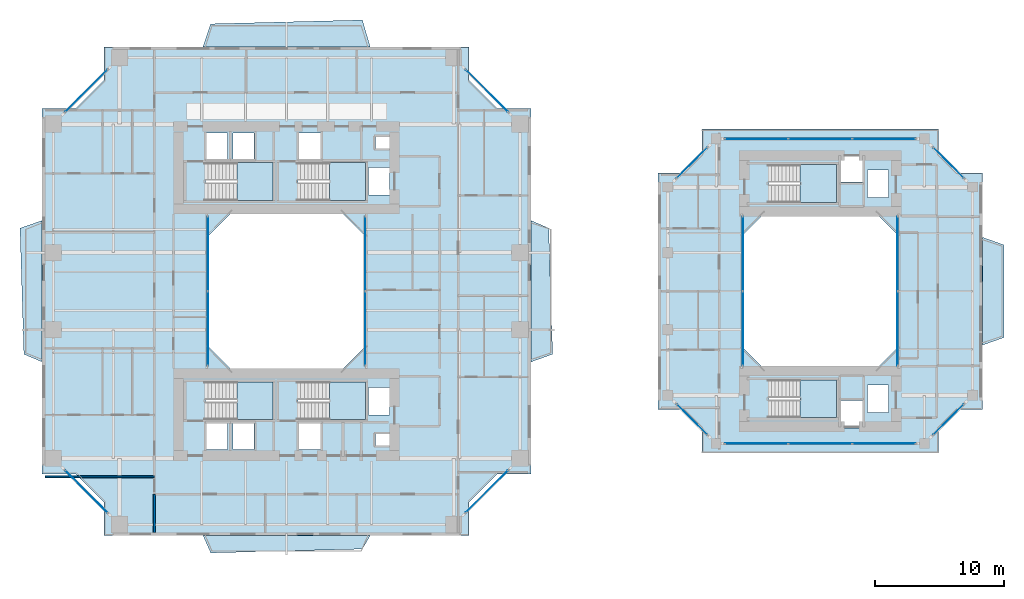
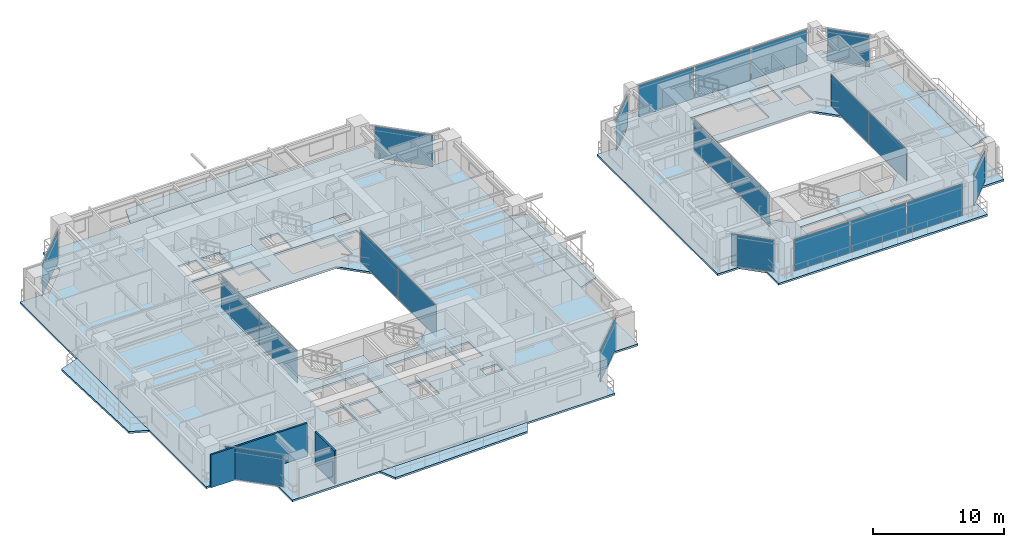
# One storey, part 12 of 23: 22 plates, 13 slabs, 2 walls, 20 elements without a shape of their own.
"""IFC4 building model written with IfcOpenShell, lengths in metres."""

from ifc_helpers import new_model, si_unit, direction, frame, frame_2d, origin, origin_2d, place, context, subcontext, project, spatial, polyline, rectangle, outline, extrude, source, transform, mapped, material, layer, layer_set, type_object, element, aggregate, save


model = new_model("IFC4")

# Units and contexts
model_context = context("Model", 3, precision=1e-05, world=origin(), true_north=direction((0.0, 1.0)))
body_context = subcontext(model_context, "Body", "Model", "MODEL_VIEW")
ifc_project = project(units=[si_unit("LENGTHUNIT", "METRE"), si_unit("AREAUNIT", "SQUARE_METRE"), si_unit("VOLUMEUNIT", "CUBIC_METRE"), si_unit("PLANEANGLEUNIT", "RADIAN"), si_unit("MASSUNIT", "GRAM", prefix="KILO"), si_unit("THERMODYNAMICTEMPERATUREUNIT", "KELVIN"), si_unit("POWERUNIT", "WATT")], contexts=[model_context])

# Site, building, storey
site_placement = place(None, origin())
site = spatial("IfcSite", under=ifc_project, at=site_placement, CompositionType="ELEMENT")
building_placement = place(site_placement, origin())
building = spatial("IfcBuilding", under=site, at=building_placement, Name="Qiaomeng Ring Towers", CompositionType="ELEMENT")
storey_placement = place(building_placement, frame((0.0, 0.0, 86.0)))
storey = spatial("IfcBuildingStorey", under=building, at=storey_placement, Name="L24", CompositionType="ELEMENT", Elevation=86.0)

# Slabs
ifc_material_1 = material(Name="Concrete C40", Category="concrete")
ifc_layer_1 = layer(ifc_material_1, 0.179931640625, Name="Concrete C40")
ifc_layer_set_1 = layer_set([ifc_layer_1], Name="Concrete C40")
slab_type_1 = type_object("IfcSlabType", Name="STR-SL-180", PredefinedType="FLOOR", material=ifc_layer_set_1)
slab_1_placement = place(storey_placement, frame((0.0, 0.0, -0.179931640625)))
element("IfcSlab", 1, at=slab_1_placement, inside=storey, type_object=slab_type_1, Name="L24 Tower 1 Annular Floor Slab", PredefinedType="FLOOR", context=body_context, shape_type="SweptSolid", body=[
    extrude(outline(polyline([(4.800048828125, 4.0), (33.199951171875, 4.0), (33.199951171875, 6.60009765625), (35.39990234375, 8.800048828125), (38.0, 8.800048828125), (38.0, 37.199951171875), (35.39990234375, 37.199951171875), (33.199951171875, 39.39990234375), (33.199951171875, 42.0), (4.800048828125, 42.0), (4.800048828125, 39.39990234375), (2.60009765625, 37.199951171875), (0.0, 37.199951171875), (0.0, 8.800048828125), (2.60009765625, 8.800048828125), (4.800048828125, 6.60009765625), (4.800048828125, 4.0)]), holes=[polyline([(12.780029296875, 10.679931640625), (12.780029296875, 12.820068359375), (14.419921875, 12.820068359375), (14.419921875, 10.679931640625), (12.780029296875, 10.679931640625)]), polyline([(14.830078125, 12.820068359375), (16.469970703125, 12.820068359375), (16.469970703125, 10.679931640625), (14.830078125, 10.679931640625), (14.830078125, 12.820068359375)]), polyline([(12.679931640625, 15.949951171875), (17.949951171875, 15.949951171875), (17.949951171875, 13.010009765625), (12.679931640625, 13.010009765625), (12.679931640625, 15.949951171875)]), polyline([(25.199951171875, 27.199951171875), (25.199951171875, 18.800048828125), (23.199951171875, 16.800048828125), (14.800048828125, 16.800048828125), (12.800048828125, 18.800048828125), (12.800048828125, 27.199951171875), (14.800048828125, 29.199951171875), (23.199951171875, 29.199951171875), (25.199951171875, 27.199951171875)]), polyline([(12.679931640625, 32.989990234375), (17.949951171875, 32.989990234375), (17.949951171875, 30.050048828125), (12.679931640625, 30.050048828125), (12.679931640625, 32.989990234375)]), polyline([(12.780029296875, 35.320068359375), (14.419921875, 35.320068359375), (14.419921875, 33.179931640625), (12.780029296875, 33.179931640625), (12.780029296875, 35.320068359375)]), polyline([(14.830078125, 35.320068359375), (16.469970703125, 35.320068359375), (16.469970703125, 33.179931640625), (14.830078125, 33.179931640625), (14.830078125, 35.320068359375)]), polyline([(19.97998046875, 35.320068359375), (21.6201171875, 35.320068359375), (21.6201171875, 33.179931640625), (19.97998046875, 33.179931640625), (19.97998046875, 35.320068359375)]), polyline([(25.919921875, 11.89990234375), (27.360107421875, 11.89990234375), (27.360107421875, 11.0), (25.919921875, 11.0), (25.919921875, 11.89990234375)]), polyline([(19.97998046875, 12.820068359375), (21.6201171875, 12.820068359375), (21.6201171875, 10.679931640625), (19.97998046875, 10.679931640625), (19.97998046875, 12.820068359375)]), polyline([(25.360107421875, 15.52001953125), (27.0, 15.52001953125), (27.0, 13.3798828125), (25.360107421875, 13.3798828125), (25.360107421875, 15.52001953125)]), polyline([(19.8798828125, 15.949951171875), (25.14990234375, 15.949951171875), (25.14990234375, 13.010009765625), (19.8798828125, 13.010009765625), (19.8798828125, 15.949951171875)]), polyline([(19.8798828125, 32.989990234375), (25.14990234375, 32.989990234375), (25.14990234375, 30.050048828125), (19.8798828125, 30.050048828125), (19.8798828125, 32.989990234375)]), polyline([(25.360107421875, 32.6201171875), (27.0, 32.6201171875), (27.0, 30.47998046875), (25.360107421875, 30.47998046875), (25.360107421875, 32.6201171875)]), polyline([(25.919921875, 35.0), (27.360107421875, 35.0), (27.360107421875, 34.10009765625), (25.919921875, 34.10009765625), (25.919921875, 35.0)])]), origin(), (0.0, 0.0, 1.0), 0.179931640625),
])
slab_2_placement = place(storey_placement, frame((0.0, 0.0, -0.179931640625)))
element("IfcSlab", 2, at=slab_2_placement, inside=storey, type_object=slab_type_1, Name="L24 Companion Tower 2 Annular Floor Slab", PredefinedType="FLOOR", context=body_context, shape_type="SweptSolid", body=[
    extrude(outline(polyline([(51.300048828125, 10.39990234375), (69.699951171875, 10.39990234375), (69.699951171875, 12.300048828125), (71.199951171875, 13.800048828125), (73.10009765625, 13.800048828125), (73.10009765625, 32.199951171875), (71.199951171875, 32.199951171875), (69.699951171875, 33.699951171875), (69.699951171875, 35.60009765625), (51.300048828125, 35.60009765625), (51.300048828125, 33.699951171875), (49.800048828125, 32.199951171875), (47.89990234375, 32.199951171875), (47.89990234375, 13.800048828125), (49.800048828125, 13.800048828125), (51.300048828125, 12.300048828125), (51.300048828125, 10.39990234375)]), holes=[polyline([(62.1298828125, 12.3798828125), (62.1298828125, 14.52001953125), (63.77001953125, 14.52001953125), (63.77001953125, 12.3798828125), (62.1298828125, 12.3798828125)]), polyline([(56.47998046875, 13.159912109375), (56.47998046875, 16.10009765625), (61.75, 16.10009765625), (61.75, 13.159912109375), (56.47998046875, 13.159912109375)]), polyline([(64.179931640625, 13.580078125), (64.179931640625, 15.719970703125), (65.820068359375, 15.719970703125), (65.820068359375, 13.580078125), (64.179931640625, 13.580078125)]), polyline([(64.800048828125, 29.10009765625), (66.60009765625, 27.300048828125), (66.60009765625, 18.699951171875), (64.800048828125, 16.89990234375), (56.199951171875, 16.89990234375), (54.39990234375, 18.699951171875), (54.39990234375, 27.300048828125), (56.199951171875, 29.10009765625), (64.800048828125, 29.10009765625)]), polyline([(64.179931640625, 30.280029296875), (64.179931640625, 32.419921875), (65.820068359375, 32.419921875), (65.820068359375, 30.280029296875), (64.179931640625, 30.280029296875)]), polyline([(56.47998046875, 32.840087890625), (61.75, 32.840087890625), (61.75, 29.89990234375), (56.47998046875, 29.89990234375), (56.47998046875, 32.840087890625)]), polyline([(62.1298828125, 33.6201171875), (63.77001953125, 33.6201171875), (63.77001953125, 31.47998046875), (62.1298828125, 31.47998046875), (62.1298828125, 33.6201171875)])]), origin(), (0.0, 0.0, 1.0), 0.179931640625),
])
ifc_layer_2 = layer(ifc_material_1, 0.179931640625, Name="Concrete C40")
ifc_layer_set_2 = layer_set([ifc_layer_2], Name="Concrete C40")
slab_type_2 = type_object("IfcSlabType", Name="STR-SL-BAL", PredefinedType="FLOOR", material=ifc_layer_set_2)
slab_3_placement = place(storey_placement, frame((0.0, 0.0, -0.179931640625)))
element("IfcSlab", 3, at=slab_3_placement, inside=storey, type_object=slab_type_2, Name="L24 Tower 1 S Faceted Balcony Slab", PredefinedType="FLOOR", context=body_context, shape_type="SweptSolid", body=[
    extrude(outline(polyline([(24.89990234375, 2.949951171875), (13.10009765625, 2.64990234375), (12.5, 4.0), (25.5, 4.0), (24.89990234375, 2.949951171875)])), origin(), (0.0, 0.0, 1.0), 0.179931640625),
])
slab_4_placement = place(storey_placement, frame((0.0, 0.0, -0.179931640625)))
element("IfcSlab", 4, at=slab_4_placement, inside=storey, type_object=slab_type_2, Name="L24 Tower 1 E Faceted Balcony Slab", PredefinedType="FLOOR", context=body_context, shape_type="SweptSolid", body=[
    extrude(outline(polyline([(39.389892578125, 27.89990234375), (39.68994140625, 18.10009765625), (38.0, 17.5), (38.0, 28.5), (39.389892578125, 27.89990234375)])), origin(), (0.0, 0.0, 1.0), 0.179931640625),
])
slab_5_placement = place(storey_placement, frame((0.0, 0.0, -0.179931640625)))
element("IfcSlab", 5, at=slab_5_placement, inside=storey, type_object=slab_type_2, Name="L24 Tower 1 N Faceted Balcony Slab", PredefinedType="FLOOR", context=body_context, shape_type="SweptSolid", body=[
    extrude(outline(polyline([(12.5, 42.0), (13.10009765625, 43.7900390625), (24.89990234375, 44.090087890625), (25.5, 42.0), (12.5, 42.0)])), origin(), (0.0, 0.0, 1.0), 0.179931640625),
])
slab_6_placement = place(storey_placement, frame((0.0, 0.0, -0.179931640625)))
element("IfcSlab", 6, at=slab_6_placement, inside=storey, type_object=slab_type_2, Name="L24 Tower 1 W Faceted Balcony Slab", PredefinedType="FLOOR", context=body_context, shape_type="SweptSolid", body=[
    extrude(outline(polyline([(0.0, 17.5), (-1.429931640625, 18.10009765625), (-1.72998046875, 27.89990234375), (0.0, 28.5), (0.0, 17.5)])), origin(), (0.0, 0.0, 1.0), 0.179931640625),
])
slab_7_placement = place(storey_placement, frame((0.0, 0.0, -0.179931640625)))
element("IfcSlab", 7, at=slab_7_placement, inside=storey, type_object=slab_type_2, Name="L24 Companion East Faceted Balcony Slab", PredefinedType="FLOOR", context=body_context, shape_type="SweptSolid", body=[
    extrude(outline(polyline([(74.7900390625, 26.60009765625), (74.7900390625, 19.39990234375), (73.10009765625, 18.800048828125), (73.10009765625, 27.199951171875), (74.7900390625, 26.60009765625)])), origin(), (0.0, 0.0, 1.0), 0.179931640625),
])

# Stair, slab
ifc_material_2 = material(Name="Precast concrete C40", Category="concrete")
stair_type = type_object("IfcStairType", Name="ARC-ST-325", PredefinedType="HALF_TURN_STAIR", material=ifc_material_2)
stair_1_placement = place(storey_placement, origin())
stair_1 = element("IfcStair", 8, at=stair_1_placement, inside=storey, type_object=stair_type, Name="L24 Tower 1 North Stair 1", PredefinedType="HALF_TURN_STAIR")
ifc_layer_3 = layer(ifc_material_1, 0.199951171875, Name="Concrete C40")
ifc_layer_set_3 = layer_set([ifc_layer_3], Name="Concrete C40")
slab_type_3 = type_object("IfcSlabType", Name="STR-SL-LANDING", PredefinedType="LANDING", material=ifc_layer_set_3)
slab_8_placement = place(storey_placement, frame((0.0, 0.0, 1.425048828125)))
slab_8 = element("IfcSlab", 9, at=slab_8_placement, type_object=slab_type_3, Name="ST1 landing 1", PredefinedType="LANDING", context=body_context, shape_type="SweptSolid", body=[
    extrude(outline(polyline([(15.139892578125, 30.050048828125), (17.949951171875, 30.050048828125), (17.949951171875, 32.989990234375), (15.139892578125, 32.989990234375), (15.139892578125, 30.050048828125)])), origin(), (0.0, 0.0, 1.0), 0.199951171875),
])
aggregate(stair_1, [slab_8])

stair_2_placement = place(storey_placement, origin())
stair_2 = element("IfcStair", 10, at=stair_2_placement, inside=storey, type_object=stair_type, Name="L24 Tower 1 North Stair 2", PredefinedType="HALF_TURN_STAIR")
slab_9_placement = place(storey_placement, frame((0.0, 0.0, 1.425048828125)))
slab_9 = element("IfcSlab", 11, at=slab_9_placement, type_object=slab_type_3, Name="ST2 landing 1", PredefinedType="LANDING", context=body_context, shape_type="SweptSolid", body=[
    extrude(outline(polyline([(22.340087890625, 30.050048828125), (25.14990234375, 30.050048828125), (25.14990234375, 32.989990234375), (22.340087890625, 32.989990234375), (22.340087890625, 30.050048828125)])), origin(), (0.0, 0.0, 1.0), 0.199951171875),
])
aggregate(stair_2, [slab_9])

stair_3_placement = place(storey_placement, origin())
stair_3 = element("IfcStair", 12, at=stair_3_placement, inside=storey, type_object=stair_type, Name="L24 Tower 1 South Stair 3", PredefinedType="HALF_TURN_STAIR")
slab_10_placement = place(storey_placement, frame((0.0, 0.0, 1.425048828125)))
slab_10 = element("IfcSlab", 13, at=slab_10_placement, type_object=slab_type_3, Name="ST3 landing 1", PredefinedType="LANDING", context=body_context, shape_type="SweptSolid", body=[
    extrude(outline(polyline([(15.139892578125, 13.010009765625), (17.949951171875, 13.010009765625), (17.949951171875, 15.949951171875), (15.139892578125, 15.949951171875), (15.139892578125, 13.010009765625)])), origin(), (0.0, 0.0, 1.0), 0.199951171875),
])
aggregate(stair_3, [slab_10])

stair_4_placement = place(storey_placement, origin())
stair_4 = element("IfcStair", 14, at=stair_4_placement, inside=storey, type_object=stair_type, Name="L24 Tower 1 South Stair 4", PredefinedType="HALF_TURN_STAIR")
slab_11_placement = place(storey_placement, frame((0.0, 0.0, 1.425048828125)))
slab_11 = element("IfcSlab", 15, at=slab_11_placement, type_object=slab_type_3, Name="ST4 landing 1", PredefinedType="LANDING", context=body_context, shape_type="SweptSolid", body=[
    extrude(outline(polyline([(22.340087890625, 13.010009765625), (25.14990234375, 13.010009765625), (25.14990234375, 15.949951171875), (22.340087890625, 15.949951171875), (22.340087890625, 13.010009765625)])), origin(), (0.0, 0.0, 1.0), 0.199951171875),
])
aggregate(stair_4, [slab_11])

stair_5_placement = place(storey_placement, origin())
stair_5 = element("IfcStair", 16, at=stair_5_placement, inside=storey, type_object=stair_type, Name="L24 Companion North Stair 5", PredefinedType="HALF_TURN_STAIR")
slab_12_placement = place(storey_placement, frame((0.0, 0.0, 1.425048828125)))
slab_12 = element("IfcSlab", 17, at=slab_12_placement, type_object=slab_type_3, Name="ST5 landing 1", PredefinedType="LANDING", context=body_context, shape_type="SweptSolid", body=[
    extrude(outline(polyline([(58.93994140625, 29.89990234375), (61.75, 29.89990234375), (61.75, 32.840087890625), (58.93994140625, 32.840087890625), (58.93994140625, 29.89990234375)])), origin(), (0.0, 0.0, 1.0), 0.199951171875),
])
aggregate(stair_5, [slab_12])

stair_6_placement = place(storey_placement, origin())
stair_6 = element("IfcStair", 18, at=stair_6_placement, inside=storey, type_object=stair_type, Name="L24 Companion South Stair 6", PredefinedType="HALF_TURN_STAIR")
slab_13_placement = place(storey_placement, frame((0.0, 0.0, 1.425048828125)))
slab_13 = element("IfcSlab", 19, at=slab_13_placement, type_object=slab_type_3, Name="ST6 landing 1", PredefinedType="LANDING", context=body_context, shape_type="SweptSolid", body=[
    extrude(outline(polyline([(58.93994140625, 13.159912109375), (61.75, 13.159912109375), (61.75, 16.10009765625), (58.93994140625, 16.10009765625), (58.93994140625, 13.159912109375)])), origin(), (0.0, 0.0, 1.0), 0.199951171875),
])
aggregate(stair_6, [slab_13])

# Curtain wall, plates
ifc_material_3 = material(Name="Fluorocarbon dark-grey aluminium", Category="aluminium")
ifc_layer_4 = layer(ifc_material_3, 0.139892578125, Name="Fluorocarbon dark-grey aluminium")
ifc_layer_set_4 = layer_set([ifc_layer_4], Name="Fluorocarbon dark-grey aluminium")
curtain_wall_type_1 = type_object("IfcCurtainWallType", Name="ARC-CW-4", PredefinedType="NOTDEFINED", material=ifc_layer_set_4)
curtain_wall_1_placement = place(storey_placement, origin())
curtain_wall_1 = element("IfcCurtainWall", 20, at=curtain_wall_1_placement, inside=storey, type_object=curtain_wall_type_1, Name="L24 Curtain Wall CW4", PredefinedType="NOTDEFINED")
ifc_material_4 = material(Name="Low-E dark-grey laminated double glazing", Category="glass")
ifc_layer_5 = layer(ifc_material_4, 0.028076171875, Name="Low-E dark-grey laminated double glazing")
ifc_layer_set_5 = layer_set([ifc_layer_5], Name="Low-E dark-grey laminated double glazing")
plate_type = type_object("IfcPlateType", Name="ARC-CWP-DARK", PredefinedType="CURTAIN_PANEL", material=ifc_layer_set_5)
shared_shape_1 = source(origin(), body_context, "Body", "SweptSolid", [
    extrude(rectangle(XDim=5.75244140625, YDim=0.028076171875, at=origin_2d()), origin(), (0.0, 0.0, 1.0), 2.93994140625),
])
plate_1_placement = place(storey_placement, frame((12.8798828125, 20.09130859375, 0.06494140625), z_axis=(0.0, 0.0, 1.0), x_axis=(0.0, 1.0, 0.0)))
plate_1 = element("IfcPlate", 21, at=plate_1_placement, type_object=plate_type, Name="CW4 panel 1.1", PredefinedType="CURTAIN_PANEL", context=body_context, shape_type="MappedRepresentation", body=[
    mapped(shared_shape_1, transform((0.0, 0.0, 0.0), x_axis=(1.0, 0.0, 0.0), y_axis=(0.0, 1.0, 0.0), z_axis=(0.0, 0.0, 1.0), scale=1.0)),
])
plate_2_placement = place(storey_placement, frame((12.8798828125, 25.90869140625, 0.06494140625), z_axis=(0.0, 0.0, 1.0), x_axis=(0.0, 1.0, 0.0)))
plate_2 = element("IfcPlate", 22, at=plate_2_placement, type_object=plate_type, Name="CW4 panel 2.1", PredefinedType="CURTAIN_PANEL", context=body_context, shape_type="MappedRepresentation", body=[
    mapped(shared_shape_1, transform((0.0, 0.0, 0.0), x_axis=(1.0, 0.0, 0.0), y_axis=(0.0, 1.0, 0.0), z_axis=(0.0, 0.0, 1.0), scale=1.0)),
])
aggregate(curtain_wall_1, [plate_1, plate_2])

curtain_wall_2_placement = place(storey_placement, origin())
curtain_wall_2 = element("IfcCurtainWall", 23, at=curtain_wall_2_placement, inside=storey, type_object=curtain_wall_type_1, Name="L24 Curtain Wall CW4", PredefinedType="NOTDEFINED")
plate_3_placement = place(storey_placement, frame((25.1201171875, 20.09130859375, 0.06494140625), z_axis=(0.0, 0.0, 1.0), x_axis=(0.0, 1.0, 0.0)))
plate_3 = element("IfcPlate", 24, at=plate_3_placement, type_object=plate_type, Name="CW4 panel 1.1", PredefinedType="CURTAIN_PANEL", context=body_context, shape_type="MappedRepresentation", body=[
    mapped(shared_shape_1, transform((0.0, 0.0, 0.0), x_axis=(1.0, 0.0, 0.0), y_axis=(0.0, 1.0, 0.0), z_axis=(0.0, 0.0, 1.0), scale=1.0)),
])
plate_4_placement = place(storey_placement, frame((25.1201171875, 25.90869140625, 0.06494140625), z_axis=(0.0, 0.0, 1.0), x_axis=(0.0, 1.0, 0.0)))
plate_4 = element("IfcPlate", 25, at=plate_4_placement, type_object=plate_type, Name="CW4 panel 2.1", PredefinedType="CURTAIN_PANEL", context=body_context, shape_type="MappedRepresentation", body=[
    mapped(shared_shape_1, transform((0.0, 0.0, 0.0), x_axis=(1.0, 0.0, 0.0), y_axis=(0.0, 1.0, 0.0), z_axis=(0.0, 0.0, 1.0), scale=1.0)),
])
aggregate(curtain_wall_2, [plate_3, plate_4])

curtain_wall_3_placement = place(storey_placement, origin())
curtain_wall_3 = element("IfcCurtainWall", 26, at=curtain_wall_3_placement, inside=storey, type_object=curtain_wall_type_1, Name="L24 Curtain Wall CW4", PredefinedType="NOTDEFINED")
plate_5_placement = place(storey_placement, frame((54.47998046875, 20.09130859375, 0.06494140625), z_axis=(0.0, 0.0, 1.0), x_axis=(0.0, 1.0, 0.0)))
plate_5 = element("IfcPlate", 27, at=plate_5_placement, type_object=plate_type, Name="CW4 panel 1.1", PredefinedType="CURTAIN_PANEL", context=body_context, shape_type="MappedRepresentation", body=[
    mapped(shared_shape_1, transform((0.0, 0.0, 0.0), x_axis=(1.0, 0.0, 0.0), y_axis=(0.0, 1.0, 0.0), z_axis=(0.0, 0.0, 1.0), scale=1.0)),
])
plate_6_placement = place(storey_placement, frame((54.47998046875, 25.90869140625, 0.06494140625), z_axis=(0.0, 0.0, 1.0), x_axis=(0.0, 1.0, 0.0)))
plate_6 = element("IfcPlate", 28, at=plate_6_placement, type_object=plate_type, Name="CW4 panel 2.1", PredefinedType="CURTAIN_PANEL", context=body_context, shape_type="MappedRepresentation", body=[
    mapped(shared_shape_1, transform((0.0, 0.0, 0.0), x_axis=(1.0, 0.0, 0.0), y_axis=(0.0, 1.0, 0.0), z_axis=(0.0, 0.0, 1.0), scale=1.0)),
])
aggregate(curtain_wall_3, [plate_5, plate_6])

curtain_wall_4_placement = place(storey_placement, origin())
curtain_wall_4 = element("IfcCurtainWall", 29, at=curtain_wall_4_placement, inside=storey, type_object=curtain_wall_type_1, Name="L24 Curtain Wall CW4", PredefinedType="NOTDEFINED")
plate_7_placement = place(storey_placement, frame((66.52001953125, 20.09130859375, 0.06494140625), z_axis=(0.0, 0.0, 1.0), x_axis=(0.0, 1.0, 0.0)))
plate_7 = element("IfcPlate", 30, at=plate_7_placement, type_object=plate_type, Name="CW4 panel 1.1", PredefinedType="CURTAIN_PANEL", context=body_context, shape_type="MappedRepresentation", body=[
    mapped(shared_shape_1, transform((0.0, 0.0, 0.0), x_axis=(1.0, 0.0, 0.0), y_axis=(0.0, 1.0, 0.0), z_axis=(0.0, 0.0, 1.0), scale=1.0)),
])
plate_8_placement = place(storey_placement, frame((66.52001953125, 25.90869140625, 0.06494140625), z_axis=(0.0, 0.0, 1.0), x_axis=(0.0, 1.0, 0.0)))
plate_8 = element("IfcPlate", 31, at=plate_8_placement, type_object=plate_type, Name="CW4 panel 2.1", PredefinedType="CURTAIN_PANEL", context=body_context, shape_type="MappedRepresentation", body=[
    mapped(shared_shape_1, transform((0.0, 0.0, 0.0), x_axis=(1.0, 0.0, 0.0), y_axis=(0.0, 1.0, 0.0), z_axis=(0.0, 0.0, 1.0), scale=1.0)),
])
aggregate(curtain_wall_4, [plate_7, plate_8])

# Curtain wall, plate
ifc_layer_6 = layer(ifc_material_3, 0.159912109375, Name="Fluorocarbon dark-grey aluminium")
ifc_layer_set_6 = layer_set([ifc_layer_6], Name="Fluorocarbon dark-grey aluminium")
curtain_wall_type_2 = type_object("IfcCurtainWallType", Name="ARC-CW-2", PredefinedType="NOTDEFINED", material=ifc_layer_set_6)
curtain_wall_5_placement = place(storey_placement, origin())
curtain_wall_5 = element("IfcCurtainWall", 32, at=curtain_wall_5_placement, inside=storey, type_object=curtain_wall_type_2, Name="L24 Curtain Wall CW2", PredefinedType="NOTDEFINED")
shared_shape_2 = source(origin(), body_context, "Body", "SweptSolid", [
    extrude(rectangle(XDim=4.6259765625, YDim=0.028076171875, at=origin_2d()), origin(), (0.0, 0.0, 1.0), 2.93994140625),
])
plate_9_placement = place(storey_placement, frame((34.574951171875, 7.425048828125, 0.06494140625), z_axis=(0.0, 0.0, 1.0), x_axis=(0.707106781187, 0.707106781187, 0.0)))
plate_9 = element("IfcPlate", 33, at=plate_9_placement, type_object=plate_type, Name="CW2 panel 1.1", PredefinedType="CURTAIN_PANEL", context=body_context, shape_type="MappedRepresentation", body=[
    mapped(shared_shape_2, transform((0.0, 0.0, 0.0), x_axis=(1.0, 0.0, 0.0), y_axis=(0.0, 1.0, 0.0), z_axis=(0.0, 0.0, 1.0), scale=1.0)),
])
aggregate(curtain_wall_5, [plate_9])

curtain_wall_6_placement = place(storey_placement, origin())
curtain_wall_6 = element("IfcCurtainWall", 34, at=curtain_wall_6_placement, inside=storey, type_object=curtain_wall_type_2, Name="L24 Curtain Wall CW2", PredefinedType="NOTDEFINED")
plate_10_placement = place(storey_placement, frame((34.574951171875, 38.574951171875, 0.06494140625), z_axis=(0.0, 0.0, 1.0), x_axis=(-0.707106781187, 0.707106781187, 0.0)))
plate_10 = element("IfcPlate", 35, at=plate_10_placement, type_object=plate_type, Name="CW2 panel 1.1", PredefinedType="CURTAIN_PANEL", context=body_context, shape_type="MappedRepresentation", body=[
    mapped(shared_shape_2, transform((0.0, 0.0, 0.0), x_axis=(1.0, 0.0, 0.0), y_axis=(0.0, 1.0, 0.0), z_axis=(0.0, 0.0, 1.0), scale=1.0)),
])
aggregate(curtain_wall_6, [plate_10])

curtain_wall_7_placement = place(storey_placement, origin())
curtain_wall_7 = element("IfcCurtainWall", 36, at=curtain_wall_7_placement, inside=storey, type_object=curtain_wall_type_2, Name="L24 Curtain Wall CW2", PredefinedType="NOTDEFINED")
plate_11_placement = place(storey_placement, frame((3.425048828125, 38.574951171875, 0.06494140625), z_axis=(0.0, 0.0, 1.0), x_axis=(-0.707106781187, -0.707106781187, 0.0)))
plate_11 = element("IfcPlate", 37, at=plate_11_placement, type_object=plate_type, Name="CW2 panel 1.1", PredefinedType="CURTAIN_PANEL", context=body_context, shape_type="MappedRepresentation", body=[
    mapped(shared_shape_2, transform((0.0, 0.0, 0.0), x_axis=(1.0, 0.0, 0.0), y_axis=(0.0, 1.0, 0.0), z_axis=(0.0, 0.0, 1.0), scale=1.0)),
])
aggregate(curtain_wall_7, [plate_11])

curtain_wall_8_placement = place(storey_placement, origin())
curtain_wall_8 = element("IfcCurtainWall", 38, at=curtain_wall_8_placement, inside=storey, type_object=curtain_wall_type_2, Name="L24 Curtain Wall CW2", PredefinedType="NOTDEFINED")
plate_12_placement = place(storey_placement, frame((3.425048828125, 7.425048828125, 0.06494140625), z_axis=(0.0, 0.0, 1.0), x_axis=(0.707106781187, -0.707106781187, 0.0)))
plate_12 = element("IfcPlate", 39, at=plate_12_placement, type_object=plate_type, Name="CW2 panel 1.1", PredefinedType="CURTAIN_PANEL", context=body_context, shape_type="MappedRepresentation", body=[
    mapped(shared_shape_2, transform((0.0, 0.0, 0.0), x_axis=(1.0, 0.0, 0.0), y_axis=(0.0, 1.0, 0.0), z_axis=(0.0, 0.0, 1.0), scale=1.0)),
])
aggregate(curtain_wall_8, [plate_12])

# Curtain wall, plates
ifc_layer_7 = layer(ifc_material_3, 0.14990234375, Name="Fluorocarbon dark-grey aluminium")
ifc_layer_set_7 = layer_set([ifc_layer_7], Name="Fluorocarbon dark-grey aluminium")
curtain_wall_type_3 = type_object("IfcCurtainWallType", Name="ARC-CW-5", PredefinedType="NOTDEFINED", material=ifc_layer_set_7)
curtain_wall_9_placement = place(storey_placement, origin())
curtain_wall_9 = element("IfcCurtainWall", 40, at=curtain_wall_9_placement, inside=storey, type_object=curtain_wall_type_3, Name="L24 Curtain Wall CW5", PredefinedType="NOTDEFINED")
shared_shape_3 = source(origin(), body_context, "Body", "SweptSolid", [
    extrude(rectangle(XDim=4.868408203125, YDim=0.028076171875, at=origin_2d()), origin(), (0.0, 0.0, 1.0), 2.93994140625),
])
plate_13_placement = place(storey_placement, frame((55.544189453125, 34.85009765625, 0.06494140625), z_axis=(0.0, 0.0, 1.0), x_axis=(1.0, 0.0, 0.0)))
plate_13 = element("IfcPlate", 41, at=plate_13_placement, type_object=plate_type, Name="CW5 panel 1.1", PredefinedType="CURTAIN_PANEL", context=body_context, shape_type="MappedRepresentation", body=[
    mapped(shared_shape_3, transform((0.0, 0.0, 0.0), x_axis=(1.0, 0.0, 0.0), y_axis=(0.0, 1.0, 0.0), z_axis=(0.0, 0.0, 1.0), scale=1.0)),
])
plate_14_placement = place(storey_placement, frame((65.455810546875, 34.85009765625, 0.06494140625), z_axis=(0.0, 0.0, 1.0), x_axis=(1.0, 0.0, 0.0)))
plate_14 = element("IfcPlate", 42, at=plate_14_placement, type_object=plate_type, Name="CW5 panel 3.1", PredefinedType="CURTAIN_PANEL", context=body_context, shape_type="MappedRepresentation", body=[
    mapped(shared_shape_3, transform((0.0, 0.0, 0.0), x_axis=(1.0, 0.0, 0.0), y_axis=(0.0, 1.0, 0.0), z_axis=(0.0, 0.0, 1.0), scale=1.0)),
])

curtain_wall_10_placement = place(storey_placement, origin())
curtain_wall_10 = element("IfcCurtainWall", 43, at=curtain_wall_10_placement, inside=storey, type_object=curtain_wall_type_3, Name="L24 Curtain Wall CW5", PredefinedType="NOTDEFINED")
plate_15_placement = place(storey_placement, frame((55.544189453125, 11.14990234375, 0.06494140625), z_axis=(0.0, 0.0, 1.0), x_axis=(1.0, 0.0, 0.0)))
plate_15 = element("IfcPlate", 44, at=plate_15_placement, type_object=plate_type, Name="CW5 panel 1.1", PredefinedType="CURTAIN_PANEL", context=body_context, shape_type="MappedRepresentation", body=[
    mapped(shared_shape_3, transform((0.0, 0.0, 0.0), x_axis=(1.0, 0.0, 0.0), y_axis=(0.0, 1.0, 0.0), z_axis=(0.0, 0.0, 1.0), scale=1.0)),
])
plate_16_placement = place(storey_placement, frame((65.455810546875, 11.14990234375, 0.06494140625), z_axis=(0.0, 0.0, 1.0), x_axis=(1.0, 0.0, 0.0)))
plate_16 = element("IfcPlate", 45, at=plate_16_placement, type_object=plate_type, Name="CW5 panel 3.1", PredefinedType="CURTAIN_PANEL", context=body_context, shape_type="MappedRepresentation", body=[
    mapped(shared_shape_3, transform((0.0, 0.0, 0.0), x_axis=(1.0, 0.0, 0.0), y_axis=(0.0, 1.0, 0.0), z_axis=(0.0, 0.0, 1.0), scale=1.0)),
])

# Plate
shared_shape_4 = source(origin(), body_context, "Body", "SweptSolid", [
    extrude(rectangle(XDim=4.9033203125, YDim=0.028076171875, at=origin_2d()), origin(), (0.0, 0.0, 1.0), 2.93994140625),
])
plate_17_placement = place(storey_placement, frame((60.5, 34.85009765625, 0.06494140625), z_axis=(0.0, 0.0, 1.0), x_axis=(1.0, 0.0, 0.0)))
plate_17 = element("IfcPlate", 46, at=plate_17_placement, type_object=plate_type, Name="CW5 panel 2.1", PredefinedType="CURTAIN_PANEL", context=body_context, shape_type="MappedRepresentation", body=[
    mapped(shared_shape_4, transform((0.0, 0.0, 0.0), x_axis=(1.0, 0.0, 0.0), y_axis=(0.0, 1.0, 0.0), z_axis=(0.0, 0.0, 1.0), scale=1.0)),
])

aggregate(curtain_wall_9, [plate_13, plate_17, plate_14])

plate_18_placement = place(storey_placement, frame((60.5, 11.14990234375, 0.06494140625), z_axis=(0.0, 0.0, 1.0), x_axis=(1.0, 0.0, 0.0)))
plate_18 = element("IfcPlate", 47, at=plate_18_placement, type_object=plate_type, Name="CW5 panel 2.1", PredefinedType="CURTAIN_PANEL", context=body_context, shape_type="MappedRepresentation", body=[
    mapped(shared_shape_4, transform((0.0, 0.0, 0.0), x_axis=(1.0, 0.0, 0.0), y_axis=(0.0, 1.0, 0.0), z_axis=(0.0, 0.0, 1.0), scale=1.0)),
])

aggregate(curtain_wall_10, [plate_15, plate_18, plate_16])

# Curtain wall, plate
curtain_wall_11_placement = place(storey_placement, origin())
curtain_wall_11 = element("IfcCurtainWall", 48, at=curtain_wall_11_placement, inside=storey, type_object=curtain_wall_type_3, Name="L24 Curtain Wall CW5", PredefinedType="NOTDEFINED")
shared_shape_5 = source(origin(), body_context, "Body", "SweptSolid", [
    extrude(rectangle(XDim=3.35302734375, YDim=0.028076171875, at=origin_2d()), origin(), (0.0, 0.0, 1.0), 2.93994140625),
])
plate_19_placement = place(storey_placement, frame((70.47509765625, 13.02490234375, 0.06494140625), z_axis=(0.0, 0.0, 1.0), x_axis=(0.707106781187, 0.707106781187, 0.0)))
plate_19 = element("IfcPlate", 49, at=plate_19_placement, type_object=plate_type, Name="CW5 panel 1.1", PredefinedType="CURTAIN_PANEL", context=body_context, shape_type="MappedRepresentation", body=[
    mapped(shared_shape_5, transform((0.0, 0.0, 0.0), x_axis=(1.0, 0.0, 0.0), y_axis=(0.0, 1.0, 0.0), z_axis=(0.0, 0.0, 1.0), scale=1.0)),
])
aggregate(curtain_wall_11, [plate_19])

curtain_wall_12_placement = place(storey_placement, origin())
curtain_wall_12 = element("IfcCurtainWall", 50, at=curtain_wall_12_placement, inside=storey, type_object=curtain_wall_type_3, Name="L24 Curtain Wall CW5", PredefinedType="NOTDEFINED")
plate_20_placement = place(storey_placement, frame((70.47509765625, 32.97509765625, 0.06494140625), z_axis=(0.0, 0.0, 1.0), x_axis=(-0.707106781187, 0.707106781187, 0.0)))
plate_20 = element("IfcPlate", 51, at=plate_20_placement, type_object=plate_type, Name="CW5 panel 1.1", PredefinedType="CURTAIN_PANEL", context=body_context, shape_type="MappedRepresentation", body=[
    mapped(shared_shape_5, transform((0.0, 0.0, 0.0), x_axis=(1.0, 0.0, 0.0), y_axis=(0.0, 1.0, 0.0), z_axis=(0.0, 0.0, 1.0), scale=1.0)),
])
aggregate(curtain_wall_12, [plate_20])

curtain_wall_13_placement = place(storey_placement, origin())
curtain_wall_13 = element("IfcCurtainWall", 52, at=curtain_wall_13_placement, inside=storey, type_object=curtain_wall_type_3, Name="L24 Curtain Wall CW5", PredefinedType="NOTDEFINED")
plate_21_placement = place(storey_placement, frame((50.52490234375, 32.97509765625, 0.06494140625), z_axis=(0.0, 0.0, 1.0), x_axis=(-0.707106781187, -0.707106781187, 0.0)))
plate_21 = element("IfcPlate", 53, at=plate_21_placement, type_object=plate_type, Name="CW5 panel 1.1", PredefinedType="CURTAIN_PANEL", context=body_context, shape_type="MappedRepresentation", body=[
    mapped(shared_shape_5, transform((0.0, 0.0, 0.0), x_axis=(1.0, 0.0, 0.0), y_axis=(0.0, 1.0, 0.0), z_axis=(0.0, 0.0, 1.0), scale=1.0)),
])
aggregate(curtain_wall_13, [plate_21])

curtain_wall_14_placement = place(storey_placement, origin())
curtain_wall_14 = element("IfcCurtainWall", 54, at=curtain_wall_14_placement, inside=storey, type_object=curtain_wall_type_3, Name="L24 Curtain Wall CW5", PredefinedType="NOTDEFINED")
plate_22_placement = place(storey_placement, frame((50.52490234375, 13.02490234375, 0.06494140625), z_axis=(0.0, 0.0, 1.0), x_axis=(0.707106781187, -0.707106781187, 0.0)))
plate_22 = element("IfcPlate", 55, at=plate_22_placement, type_object=plate_type, Name="CW5 panel 1.1", PredefinedType="CURTAIN_PANEL", context=body_context, shape_type="MappedRepresentation", body=[
    mapped(shared_shape_5, transform((0.0, 0.0, 0.0), x_axis=(1.0, 0.0, 0.0), y_axis=(0.0, 1.0, 0.0), z_axis=(0.0, 0.0, 1.0), scale=1.0)),
])
aggregate(curtain_wall_14, [plate_22])

# Walls
ifc_material_5 = material(Name="Gypsum fireboard steel-stud partition", Category="steel")
ifc_layer_8 = layer(ifc_material_5, 0.14990234375, Name="Gypsum fireboard steel-stud partition")
ifc_layer_set_8 = layer_set([ifc_layer_8], Name="Gypsum fireboard steel-stud partition")
wall_type = type_object("IfcWallType", Name="ARC-WL-PW3", PredefinedType="PARTITIONING", material=ifc_layer_set_8)
wall_1_placement = place(storey_placement, frame((8.719970703125, 4.25, 0.0), z_axis=(0.0, 0.0, 1.0), x_axis=(0.0, 1.0, 0.0)))
element("IfcWall", 56, at=wall_1_placement, inside=storey, type_object=wall_type, Name="L24 Interior Wall PW3", PredefinedType="PARTITIONING", context=body_context, shape_type="SweptSolid", body=[
    extrude(rectangle(XDim=2.9599609375, YDim=0.14990234375, at=frame_2d((1.47998046875, 0.0))), origin(), (0.0, 0.0, 1.0), 3.070068359375),
])
wall_2_placement = place(storey_placement, frame((0.25, 8.570068359375, 0.0), z_axis=(0.0, 0.0, 1.0), x_axis=(1.0, 0.0, 0.0)))
element("IfcWall", 57, at=wall_2_placement, inside=storey, type_object=wall_type, Name="L24 Interior Wall PW3", PredefinedType="PARTITIONING", context=body_context, shape_type="SweptSolid", body=[
    extrude(rectangle(XDim=8.469970703125, YDim=0.14990234375, at=frame_2d((4.23486328125, 0.0))), origin(), (0.0, 0.0, 1.0), 3.070068359375),
])

save(model, "model.ifc")
